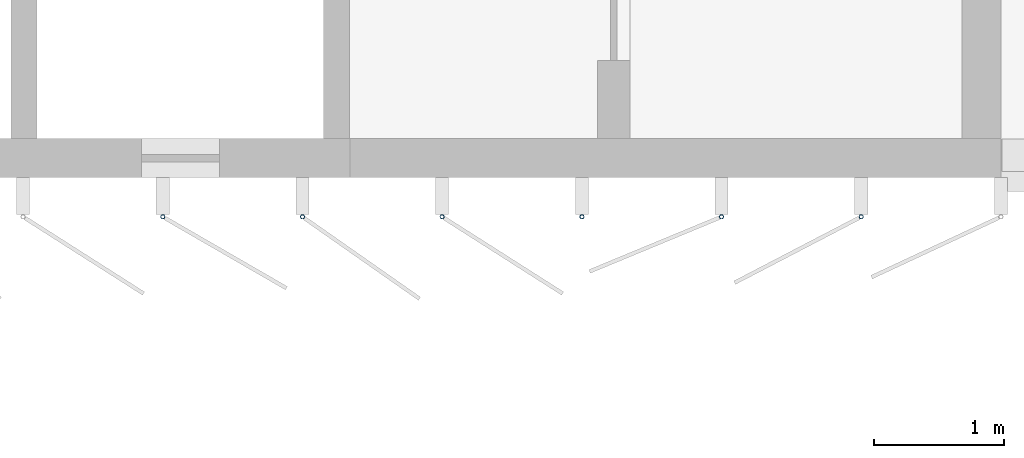
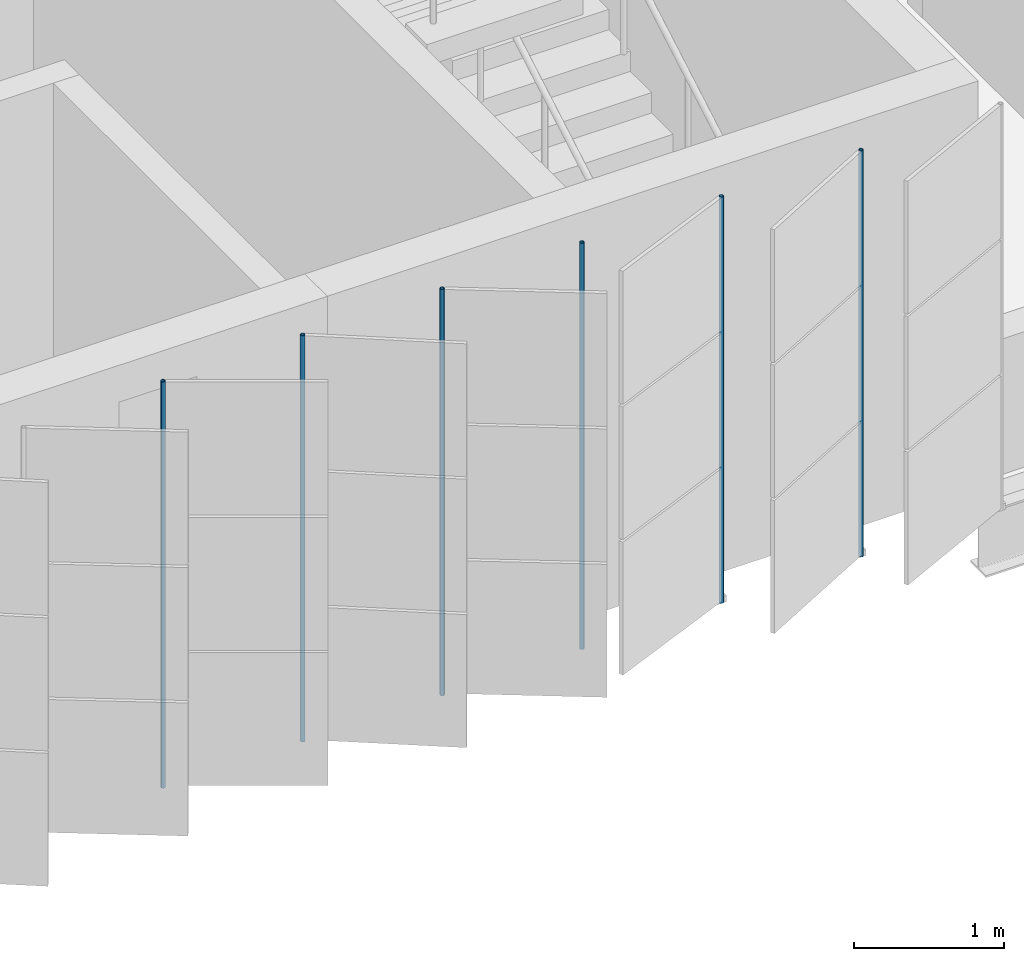
# One storey, part 107 of 199: 6 discrete accessories.
"""IFC4 building model written with IfcOpenShell, lengths in metres."""

from ifc_helpers import new_model, si_unit, direction, frame, origin, origin_2d, place, context, subcontext, project, spatial, hollow_circle, extrude, material, material_profile, profile_set, type_object, element, save


model = new_model("IFC4")

# Units and contexts
model_context = context("Model", 3, precision=1e-05, world=origin(), true_north=direction((0.0, 1.0)))
body_context = subcontext(model_context, "Body", "Model", "MODEL_VIEW")
ifc_project = project(units=[si_unit("LENGTHUNIT", "METRE"), si_unit("AREAUNIT", "SQUARE_METRE"), si_unit("VOLUMEUNIT", "CUBIC_METRE"), si_unit("PLANEANGLEUNIT", "RADIAN"), si_unit("MASSUNIT", "GRAM", prefix="KILO")], contexts=[model_context])

# Site, building, storey
site_placement = place(None, origin())
site = spatial("IfcSite", under=ifc_project, at=site_placement, CompositionType="ELEMENT")
building_placement = place(site_placement, origin())
building = spatial("IfcBuilding", under=site, at=building_placement, Name="Parallax Yard Mobility Hub", CompositionType="ELEMENT")
storey_placement = place(building_placement, frame((0.0, 0.0, 9.89990234375)))
storey = spatial("IfcBuildingStorey", under=building, at=storey_placement, Name="L03", CompositionType="ELEMENT", Elevation=9.89990234375)

# Discrete accessories
ifc_material = material(Name="Steel ASTM A500 Gr C, hot-dip galvanised", Category="steel")
ifc_material_profile = material_profile(ifc_material, hollow_circle(Radius=0.016845703125, WallThickness=0.003173828125, at=origin_2d()), Name="CHS 33.7x3.2")
ifc_profile_set = profile_set([ifc_material_profile], Name="Steel ASTM A500 Gr C, hot-dip galvanised")
discrete_accessory_type = type_object("IfcDiscreteAccessoryType", Name="Hinge post CHS 33.7x3.2", PredefinedType="BRACKET", material=ifc_profile_set)
for number, where, z_axis, x_axis, name in (
    (1, (136.064697265625, 112.199951171875, 0.0), (0.0, 0.0, 1.0), (1.0, 0.0, 0.0), "Hinge post bay 13.9 level L03"),
    (2, (137.136962890625, 112.199951171875, 0.0), (0.0, 0.0, 1.0), (1.0, 0.0, 0.0), "Hinge post bay 13.10 level L03"),
    (3, (138.209228515625, 112.199951171875, 0.0), (0.0, 0.0, 1.0), (1.0, 0.0, 0.0), "Hinge post bay 13.11 level L03"),
    (4, (139.281494140625, 112.199951171875, 0.0), (0.0, 0.0, 1.0), (1.0, 0.0, 0.0), "Hinge post bay 13.12 level L03"),
    (5, (140.353515625, 112.199951171875, 0.0), (0.0, 0.0, 1.0), (1.0, 0.0, 0.0), "Hinge post bay 13.13 level L03"),
    (6, (141.42578125, 112.199951171875, 0.0), (0.0, 0.0, 1.0), (1.0, 0.0, 0.0), "Hinge post bay 13.14 level L03"),
):
    element("IfcDiscreteAccessory", number, at=place(storey_placement, frame(where, z_axis=z_axis, x_axis=x_axis)), inside=storey, type_object=discrete_accessory_type, Name=name, PredefinedType="BRACKET", context=body_context, shape_type="SweptSolid", body=[
        extrude(hollow_circle(Radius=0.016845703125, WallThickness=0.003173828125, at=origin_2d()), origin(), (0.0, 0.0, 1.0), 3.300048828125),
    ])

save(model, "model.ifc")
